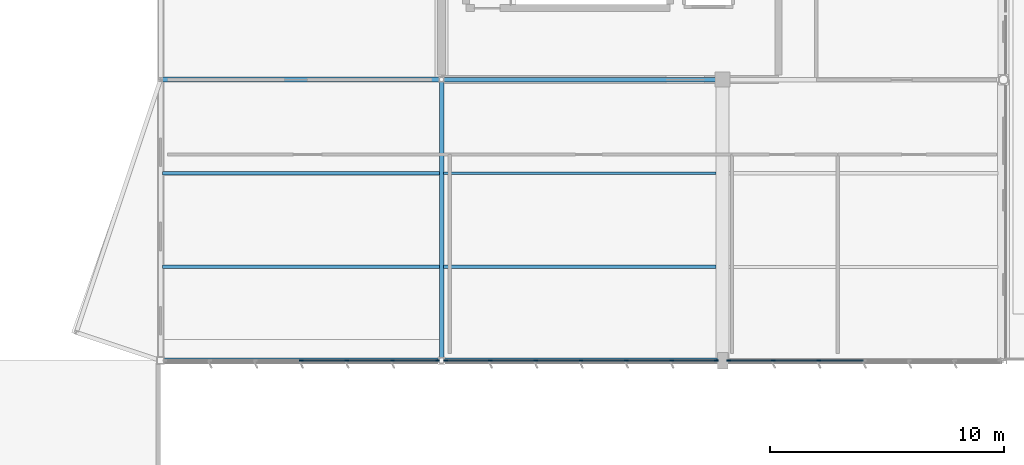
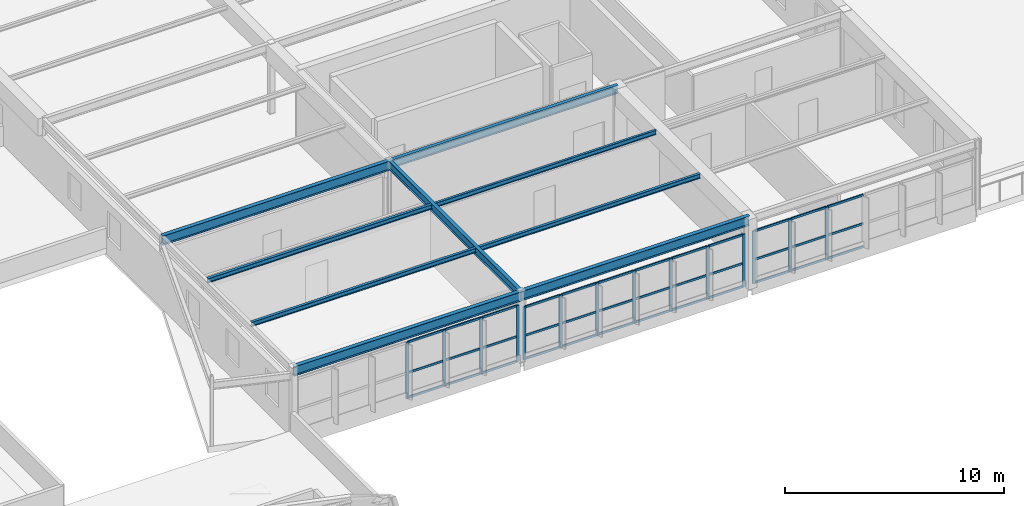
# One storey, part 62 of 128: 50 members, 9 beams, 3 elements without a shape of their own.
"""IFC4 building model written with IfcOpenShell, lengths in metres."""

import ifcopenshell
import ifcopenshell.guid

model = None  # the IFC model being written
_history = None  # IfcOwnerHistory: only IFC2X3 demands one
_inside = {}  # id of a spatial element -> (the spatial element, [elements in it])
_under = {}  # id of a project, library or spatial element -> (it, [spatial elements below it])
_declared = {}  # id of a project -> (the project, [libraries it declares])
_typed = {}  # id of a type object -> (the type object, [elements of that type])
_made_of = {}  # id of a material, layer set ... -> (it, [elements and type objects made of it])


def new_model(schema):
    """Start an empty IFC model of exactly this schema.

    Asked for "IFC4X3", IfcOpenShell would pick the latest addendum, in which some entities
    have other attributes; the version numbers below select the first issue.
    IFC2X3 requires an IfcOwnerHistory on every rooted entity: one is made here for all.
    """
    global model, _history
    if schema == "IFC4X3":
        model = ifcopenshell.file(schema_version=(4, 3, 0, 0))
    else:
        model = ifcopenshell.file(schema=schema)
    _inside.clear()
    _under.clear()
    _declared.clear()
    _typed.clear()
    _made_of.clear()
    _history = None
    if model.schema == "IFC2X3":
        org = make("IfcOrganization", Name="unknown")
        user = make(
            "IfcPersonAndOrganization",
            ThePerson=make("IfcPerson", FamilyName="unknown"),
            TheOrganization=org,
        )
        app = make(
            "IfcApplication",
            ApplicationDeveloper=org,
            Version="unknown",
            ApplicationFullName="unknown",
            ApplicationIdentifier="unknown",
        )
        _history = make(
            "IfcOwnerHistory",
            OwningUser=user,
            OwningApplication=app,
            ChangeAction="ADDED",
            CreationDate=0,
        )
    return model


def make(cls, **values):
    """One entity of the class cls with the attributes given. An attribute that is None is left unset."""
    return model.create_entity(
        cls, **{name: value for name, value in values.items() if value is not None}
    )


def rooted(cls, **values):
    """An entity with a GlobalId (a new one), such as an element, a storey or a relation."""
    return make(cls, GlobalId=ifcopenshell.guid.new(), OwnerHistory=_history, **values)


def si_unit(unit_type, name, prefix=None):
    """IfcSIUnit, for example si_unit("LENGTHUNIT", "METRE", prefix="MILLI")."""
    return make("IfcSIUnit", UnitType=unit_type, Prefix=prefix, Name=name)


def assignment(units):
    """IfcUnitAssignment: the units of a project."""
    return None if units is None else make("IfcUnitAssignment", Units=units)


def point(xyz):
    """IfcCartesianPoint."""
    return None if xyz is None else make("IfcCartesianPoint", Coordinates=xyz)


def direction(xyz):
    """IfcDirection."""
    return None if xyz is None else make("IfcDirection", DirectionRatios=xyz)


def frame(location, z_axis=None, x_axis=None):
    """IfcAxis2Placement3D, a coordinate frame: its origin and axes. An axis left out is left unset."""
    return make(
        "IfcAxis2Placement3D",
        Location=point(location),
        Axis=direction(z_axis),
        RefDirection=direction(x_axis),
    )


def frame_2d(location, x_axis=None):
    """IfcAxis2Placement2D, a coordinate frame in the plane: its origin and x axis."""
    return make(
        "IfcAxis2Placement2D", Location=point(location), RefDirection=direction(x_axis)
    )


def origin():
    """The frame at (0, 0, 0) with its axes left unset."""
    return frame((0.0, 0.0, 0.0))


def origin_2d():
    """The frame at (0, 0) in the plane with its x axis left unset."""
    return frame_2d((0.0, 0.0))


def place(relative_to, where):
    """IfcLocalPlacement: puts the frame where relative to a parent placement (None: the world)."""
    return make(
        "IfcLocalPlacement", PlacementRelTo=relative_to, RelativePlacement=where
    )


def context(
    kind, dimensions, precision=None, world=None, true_north=None, identifier=None
):
    """IfcGeometricRepresentationContext, for example the 3D "Model" context."""
    return make(
        "IfcGeometricRepresentationContext",
        ContextIdentifier=identifier,
        ContextType=kind,
        CoordinateSpaceDimension=dimensions,
        Precision=precision,
        WorldCoordinateSystem=world,
        TrueNorth=true_north,
    )


def subcontext(parent, identifier, kind, view, scale=None):
    """IfcGeometricRepresentationSubContext, for example "Body" below "Model"."""
    return make(
        "IfcGeometricRepresentationSubContext",
        ContextIdentifier=identifier,
        ContextType=kind,
        ParentContext=parent,
        TargetScale=scale,
        TargetView=view,
    )


def project(units=None, contexts=None):
    """IfcProject with its units and contexts."""
    return rooted(
        "IfcProject",
        Name="project",
        RepresentationContexts=contexts,
        UnitsInContext=assignment(units),
    )


def spatial(cls, under=None, at=None, **own):
    """A site, building, storey or space (cls), placed at a placement, below another one or the project."""
    s = rooted(cls, ObjectPlacement=at, **own)
    if under is not None:
        _under.setdefault(under.id(), (under, []))[1].append(s)
    return s


def profile(cls, at=None, kind="AREA", **sizes):
    """A parametric profile (cls). Its sizes go by their IFC names, for example OverallWidth=200.0."""
    return make(cls, ProfileType=kind, Position=at, **sizes)


def rectangle(**sizes):
    """IfcRectangleProfileDef."""
    return profile("IfcRectangleProfileDef", **sizes)


def i_section(**sizes):
    """IfcIShapeProfileDef."""
    return profile("IfcIShapeProfileDef", **sizes)


def extrude(swept, where, along, depth):
    """IfcExtrudedAreaSolid: the profile swept, set in the frame where, extruded along a direction by depth."""
    return make(
        "IfcExtrudedAreaSolid",
        SweptArea=swept,
        Position=where,
        ExtrudedDirection=direction(along),
        Depth=depth,
    )


def shape(context_of_items, identifier, shape_type, items):
    """IfcShapeRepresentation: the items that make up one representation, for example the "Body"."""
    return make(
        "IfcShapeRepresentation",
        ContextOfItems=context_of_items,
        RepresentationIdentifier=identifier,
        RepresentationType=shape_type,
        Items=items,
    )


def material(Name=None, Category=None):
    """IfcMaterial."""
    return make("IfcMaterial", Name=Name, Category=Category)


def layer(
    of_material, thickness, ventilated=None, Name=None, Category=None, Priority=None
):
    """IfcMaterialLayer: one layer of a wall or slab, of a material (None: an air gap)."""
    return make(
        "IfcMaterialLayer",
        Material=of_material,
        LayerThickness=thickness,
        IsVentilated=ventilated,
        Name=Name,
        Category=Category,
        Priority=Priority,
    )


def layer_set(layers, Name=None):
    """IfcMaterialLayerSet."""
    return make("IfcMaterialLayerSet", MaterialLayers=layers, LayerSetName=Name)


def material_profile(
    of_material, cross_section, Name=None, Category=None, Priority=None
):
    """IfcMaterialProfile: a cross section and its material."""
    return make(
        "IfcMaterialProfile",
        Name=Name,
        Material=of_material,
        Profile=cross_section,
        Priority=Priority,
        Category=Category,
    )


def profile_set(profiles, Name=None, composite=None):
    """IfcMaterialProfileSet."""
    return make(
        "IfcMaterialProfileSet",
        Name=Name,
        MaterialProfiles=profiles,
        CompositeProfile=composite,
    )


def made_of(thing, what):
    """Note that an element or type object is made of a material, layer set ...; save() writes the relation."""
    if what is not None:
        _made_of.setdefault(what.id(), (what, []))[1].append(thing)
    return thing


def type_object(cls, material=None, **own):
    """A type object (cls), such as IfcWallType, which elements share."""
    return made_of(rooted(cls, **own), material)


def element(
    cls,
    number,
    at=None,
    inside=None,
    cuts=None,
    type_object=None,
    material=None,
    context=None,
    identifier="Body",
    shape_type=None,
    held_by="IfcProductDefinitionShape",
    body=None,
    shapes=None,
    **own,
):
    """One element of the class cls, such as IfcWall. Its Tag is "e" and its number.

    at: its placement. inside: the storey or other place that contains it. cuts: it is an
    opening in that element (IfcRelVoidsElement). A single representation is given by context,
    identifier, shape_type and body (its items); several are given by shapes. held_by: the class
    of the entity that holds the representations. save() writes the other relations.
    """
    e = rooted(cls, Tag="e%d" % number, ObjectPlacement=at, **own)
    if body is not None:
        shapes = [shape(context, identifier, shape_type, body)]
    if shapes is not None:
        e.Representation = make(held_by, Representations=shapes)
    if inside is not None:
        _inside.setdefault(inside.id(), (inside, []))[1].append(e)
    if cuts is not None:
        rooted(
            "IfcRelVoidsElement", RelatingBuildingElement=cuts, RelatedOpeningElement=e
        )
    if type_object is not None:
        _typed.setdefault(type_object.id(), (type_object, []))[1].append(e)
    return made_of(e, material)


def aggregate(whole, parts):
    """IfcRelAggregates: a whole, such as a stair, and the parts it consists of."""
    return rooted("IfcRelAggregates", RelatingObject=whole, RelatedObjects=parts)


def save(model, path):
    """Write the relations noted so far, then the file.

    IfcRelAggregates (storeys below a building ...), IfcRelContainedInSpatialStructure (elements
    in a storey), IfcRelDefinesByType, IfcRelAssociatesMaterial and IfcRelDeclares: one each for
    every whole, place, type object, material and project.
    """
    for whole, parts in _under.values():
        aggregate(whole, parts)
    for where, things in _inside.values():
        rooted(
            "IfcRelContainedInSpatialStructure",
            RelatedElements=things,
            RelatingStructure=where,
        )
    for kind, things in _typed.values():
        rooted("IfcRelDefinesByType", RelatedObjects=things, RelatingType=kind)
    for what, things in _made_of.values():
        rooted("IfcRelAssociatesMaterial", RelatedObjects=things, RelatingMaterial=what)
    for by, libraries in _declared.values():
        rooted("IfcRelDeclares", RelatingContext=by, RelatedDefinitions=libraries)
    model.write(path)


model = new_model("IFC4")

# Units and contexts
model_context = context("Model", 3, precision=1e-05, world=origin(), true_north=direction((0.0, 1.0)))
body_context = subcontext(model_context, "Body", "Model", "MODEL_VIEW")
ifc_project = project(units=[si_unit("LENGTHUNIT", "METRE"), si_unit("AREAUNIT", "SQUARE_METRE"), si_unit("VOLUMEUNIT", "CUBIC_METRE"), si_unit("PLANEANGLEUNIT", "RADIAN"), si_unit("MASSUNIT", "GRAM", prefix="KILO")], contexts=[model_context])

# Site, building, storey
site_placement = place(None, origin())
site = spatial("IfcSite", under=ifc_project, at=site_placement, CompositionType="ELEMENT")
building_placement = place(site_placement, origin())
building = spatial("IfcBuilding", under=site, at=building_placement, Name="Tarnwether General Hospital", CompositionType="ELEMENT")
storey_placement = place(building_placement, frame((0.0, 0.0, 14.39990234375)))
storey = spatial("IfcBuildingStorey", under=building, at=storey_placement, Name="L03", CompositionType="ELEMENT", Elevation=14.39990234375)

# Beams
ifc_material_1 = material(Name="Steel Grade 350 (350 MPa)", Category="steel")
ifc_material_profile_1 = material_profile(ifc_material_1, i_section(OverallWidth=0.208984375, OverallDepth=0.532958984375, WebThickness=0.01025390625, FlangeThickness=0.015625, at=origin_2d()), Name="530UB92.4")
ifc_profile_set_1 = profile_set([ifc_material_profile_1], Name="Steel Grade 350 (350 MPa)")
beam_type_1 = type_object("IfcBeamType", Name="BM-G06", PredefinedType="BEAM", material=ifc_profile_set_1)
beam_1_placement = place(storey_placement, frame((144.0, 81.60009765625, 3.633544921875), z_axis=(1.0, 0.0, 0.0), x_axis=(0.0, 1.0, 0.0)))
element("IfcBeam", 1, at=beam_1_placement, inside=storey, type_object=beam_type_1, Name="Primary Girder BMG-L03-14400_8160-15600_8160-1763", PredefinedType="BEAM", context=body_context, shape_type="SweptSolid", body=[
    extrude(i_section(OverallWidth=0.208984375, OverallDepth=0.532958984375, WebThickness=0.01025390625, FlangeThickness=0.015625, at=origin_2d()), origin(), (0.0, 0.0, 1.0), 12.0),
])
ifc_material_2 = material(Name="Steel Grade 350 (350 MPa)", Category="steel")
ifc_material_profile_2 = material_profile(ifc_material_2, i_section(OverallWidth=0.208984375, OverallDepth=0.528076171875, WebThickness=0.009521484375, FlangeThickness=0.01318359375, at=origin_2d()), Name="530UB82.0")
ifc_profile_set_2 = profile_set([ifc_material_profile_2], Name="Steel Grade 350 (350 MPa)")
beam_type_2 = type_object("IfcBeamType", Name="BM-G07", PredefinedType="BEAM", material=ifc_profile_set_2)
for number, where, z_axis, x_axis, name in (
    (2, (144.0, 93.60009765625, 3.635986328125), (1.0, 0.0, 0.0), (0.0, 1.0, 0.0), "Primary Girder BMG-L03-14400_9360-15600_9360-1765"),
    (3, (156.0, 81.60009765625, 3.635986328125), (1.0, 0.0, 0.0), (0.0, 1.0, 0.0), "Primary Girder BMG-L03-15600_8160-16800_8160-1781"),
):
    element("IfcBeam", number, at=place(storey_placement, frame(where, z_axis=z_axis, x_axis=x_axis)), inside=storey, type_object=beam_type_2, Name=name, PredefinedType="BEAM", context=body_context, shape_type="SweptSolid", body=[
        extrude(i_section(OverallWidth=0.208984375, OverallDepth=0.528076171875, WebThickness=0.009521484375, FlangeThickness=0.01318359375, at=origin_2d()), origin(), (0.0, 0.0, 1.0), 12.0),
    ])
ifc_material_3 = material(Name="Steel Grade 350 (350 MPa)", Category="steel")
ifc_material_profile_3 = material_profile(ifc_material_3, i_section(OverallWidth=0.19091796875, OverallDepth=0.4599609375, WebThickness=0.010009765625, FlangeThickness=0.01611328125, at=origin_2d()), Name="460UB82.1")
ifc_profile_set_3 = profile_set([ifc_material_profile_3], Name="Steel Grade 350 (350 MPa)")
beam_type_3 = type_object("IfcBeamType", Name="BM-G08", PredefinedType="BEAM", material=ifc_profile_set_3)
beam_2_placement = place(storey_placement, frame((156.0, 93.60009765625, 3.670166015625), z_axis=(1.0, 0.0, 0.0), x_axis=(0.0, 1.0, 0.0)))
element("IfcBeam", 4, at=beam_2_placement, inside=storey, type_object=beam_type_3, Name="Primary Girder BMG-L03-15600_9360-16800_9360-1783", PredefinedType="BEAM", context=body_context, shape_type="SweptSolid", body=[
    extrude(i_section(OverallWidth=0.19091796875, OverallDepth=0.4599609375, WebThickness=0.010009765625, FlangeThickness=0.01611328125, at=origin_2d()), origin(), (0.0, 0.0, 1.0), 12.0),
])
ifc_material_4 = material(Name="Steel Grade 350 (350 MPa)", Category="steel")
ifc_material_profile_4 = material_profile(ifc_material_4, i_section(OverallWidth=0.18994140625, OverallDepth=0.4541015625, WebThickness=0.008544921875, FlangeThickness=0.0126953125, at=origin_2d()), Name="460UB67.1")
ifc_profile_set_4 = profile_set([ifc_material_profile_4], Name="Steel Grade 350 (350 MPa)")
beam_type_4 = type_object("IfcBeamType", Name="BM-G10", PredefinedType="BEAM", material=ifc_profile_set_4)
beam_3_placement = place(storey_placement, frame((156.0, 81.60009765625, 3.673095703125), z_axis=(0.0, 1.0, 0.0), x_axis=(-1.0, 0.0, 0.0)))
element("IfcBeam", 5, at=beam_3_placement, inside=storey, type_object=beam_type_4, Name="Primary Girder BMG-L03-15600_8160-15600_9360-1782", PredefinedType="BEAM", context=body_context, shape_type="SweptSolid", body=[
    extrude(i_section(OverallWidth=0.18994140625, OverallDepth=0.4541015625, WebThickness=0.008544921875, FlangeThickness=0.0126953125, at=origin_2d()), origin(), (0.0, 0.0, 1.0), 12.0),
])
ifc_material_5 = material(Name="Steel Grade 350 (350 MPa)", Category="steel")
ifc_material_profile_5 = material_profile(ifc_material_5, i_section(OverallWidth=0.14599609375, OverallDepth=0.256103515625, WebThickness=0.00634765625, FlangeThickness=0.010986328125, at=origin_2d()), Name="250UB37.3")
ifc_profile_set_5 = profile_set([ifc_material_profile_5], Name="Steel Grade 350 (350 MPa)")
beam_type_5 = type_object("IfcBeamType", Name="BM-J09", PredefinedType="JOIST", material=ifc_profile_set_5)
beam_4_placement = place(storey_placement, frame((144.089111328125, 85.60009765625, 3.772216796875), z_axis=(1.0, 0.0, 0.0), x_axis=(0.0, 1.0, 0.0)))
element("IfcBeam", 6, at=beam_4_placement, inside=storey, type_object=beam_type_5, Name="Composite Floor Joist BMG-L03-14409_8560-15591_8560-1822", PredefinedType="JOIST", context=body_context, shape_type="SweptSolid", body=[
    extrude(i_section(OverallWidth=0.14599609375, OverallDepth=0.256103515625, WebThickness=0.00634765625, FlangeThickness=0.010986328125, at=origin_2d()), origin(), (0.0, 0.0, 1.0), 11.82177734375),
])
ifc_material_6 = material(Name="Steel Grade 350 (350 MPa)", Category="steel")
ifc_material_profile_6 = material_profile(ifc_material_6, i_section(OverallWidth=0.14599609375, OverallDepth=0.251953125, WebThickness=0.006103515625, FlangeThickness=0.008544921875, at=origin_2d()), Name="250UB31.4")
ifc_profile_set_6 = profile_set([ifc_material_profile_6], Name="Steel Grade 350 (350 MPa)")
beam_type_6 = type_object("IfcBeamType", Name="BM-J10", PredefinedType="JOIST", material=ifc_profile_set_6)
beam_5_placement = place(storey_placement, frame((144.089111328125, 89.60009765625, 3.774169921875), z_axis=(1.0, 0.0, 0.0), x_axis=(0.0, 1.0, 0.0)))
element("IfcBeam", 7, at=beam_5_placement, inside=storey, type_object=beam_type_6, Name="Composite Floor Joist BMG-L03-14409_8960-15591_8960-1823", PredefinedType="JOIST", context=body_context, shape_type="SweptSolid", body=[
    extrude(i_section(OverallWidth=0.14599609375, OverallDepth=0.251953125, WebThickness=0.006103515625, FlangeThickness=0.008544921875, at=origin_2d()), origin(), (0.0, 0.0, 1.0), 11.82177734375),
])
beam_6_placement = place(storey_placement, frame((156.089111328125, 85.60009765625, 3.774169921875), z_axis=(1.0, 0.0, 0.0), x_axis=(0.0, 1.0, 0.0)))
element("IfcBeam", 8, at=beam_6_placement, inside=storey, type_object=beam_type_6, Name="Composite Floor Joist BMG-L03-15609_8560-16773_8560-1836", PredefinedType="JOIST", context=body_context, shape_type="SweptSolid", body=[
    extrude(i_section(OverallWidth=0.14599609375, OverallDepth=0.251953125, WebThickness=0.006103515625, FlangeThickness=0.008544921875, at=origin_2d()), origin(), (0.0, 0.0, 1.0), 11.641845703125),
])
ifc_material_7 = material(Name="Steel Grade 350 (350 MPa)", Category="steel")
ifc_material_profile_7 = material_profile(ifc_material_7, i_section(OverallWidth=0.1240234375, OverallDepth=0.248046875, WebThickness=0.0048828125, FlangeThickness=0.008056640625, at=origin_2d()), Name="250UB25.7")
ifc_profile_set_7 = profile_set([ifc_material_profile_7], Name="Steel Grade 350 (350 MPa)")
beam_type_7 = type_object("IfcBeamType", Name="BM-J11", PredefinedType="JOIST", material=ifc_profile_set_7)
beam_7_placement = place(storey_placement, frame((156.089111328125, 89.60009765625, 3.776123046875), z_axis=(1.0, 0.0, 0.0), x_axis=(0.0, 1.0, 0.0)))
element("IfcBeam", 9, at=beam_7_placement, inside=storey, type_object=beam_type_7, Name="Composite Floor Joist BMG-L03-15609_8960-16773_8960-1837", PredefinedType="JOIST", context=body_context, shape_type="SweptSolid", body=[
    extrude(i_section(OverallWidth=0.1240234375, OverallDepth=0.248046875, WebThickness=0.0048828125, FlangeThickness=0.008056640625, at=origin_2d()), origin(), (0.0, 0.0, 1.0), 11.641845703125),
])

# Curtain wall, members
ifc_material_8 = material(Name="Anodised aluminium", Category="aluminium")
ifc_layer = layer(ifc_material_8, 0.159912109375)
ifc_layer_set = layer_set([ifc_layer], Name="Anodised aluminium")
curtain_wall_type = type_object("IfcCurtainWallType", Name="CW-17", PredefinedType="NOTDEFINED", material=ifc_layer_set)
curtain_wall_1_placement = place(storey_placement, origin())
curtain_wall_1 = element("IfcCurtainWall", 10, at=curtain_wall_1_placement, inside=storey, type_object=curtain_wall_type, Name="Curtain Wall CWG-L03-1799_816-0485", PredefinedType="NOTDEFINED")
ifc_material_9 = material(Name="Anodised aluminium", Category="aluminium")
ifc_material_profile_8 = material_profile(ifc_material_9, rectangle(XDim=0.06005859375, YDim=0.159912109375, at=origin_2d()), Name="ALU-MUL-60x160")
ifc_profile_set_8 = profile_set([ifc_material_profile_8], Name="Anodised aluminium")
member_type_1 = type_object("IfcMemberType", Name="CW-ML1", PredefinedType="MULLION", material=ifc_profile_set_8)
member_1_placement = place(storey_placement, frame((172.109375, 81.60009765625, 0.0), z_axis=(0.0, 0.0, 1.0), x_axis=(0.0, -1.0, 0.0)))
member_1 = element("IfcMember", 11, at=member_1_placement, type_object=member_type_1, Name="CW-17 mullion 5", PredefinedType="MULLION", context=body_context, shape_type="SweptSolid", body=[
    extrude(rectangle(XDim=0.06005859375, YDim=0.159912109375, at=origin_2d()), origin(), (0.0, 0.0, 1.0), 2.93505859375),
])
member_2_placement = place(storey_placement, frame((170.171142578125, 81.60009765625, 0.0), z_axis=(0.0, 0.0, 1.0), x_axis=(0.0, -1.0, 0.0)))
member_2 = element("IfcMember", 12, at=member_2_placement, type_object=member_type_1, Name="CW-17 mullion 6", PredefinedType="MULLION", context=body_context, shape_type="SweptSolid", body=[
    extrude(rectangle(XDim=0.06005859375, YDim=0.159912109375, at=origin_2d()), origin(), (0.0, 0.0, 1.0), 2.93505859375),
])
member_3_placement = place(storey_placement, frame((168.262939453125, 81.60009765625, 0.0), z_axis=(0.0, 0.0, 1.0), x_axis=(0.0, -1.0, 0.0)))
member_3 = element("IfcMember", 13, at=member_3_placement, type_object=member_type_1, Name="CW-17 mullion 7", PredefinedType="MULLION", context=body_context, shape_type="SweptSolid", body=[
    extrude(rectangle(XDim=0.06005859375, YDim=0.159912109375, at=origin_2d()), origin(), (0.0, 0.0, 1.0), 2.93505859375),
])

curtain_wall_2_placement = place(storey_placement, origin())
curtain_wall_2 = element("IfcCurtainWall", 14, at=curtain_wall_2_placement, inside=storey, type_object=curtain_wall_type, Name="Curtain Wall CWG-L03-1678_816-0486", PredefinedType="NOTDEFINED")
member_4_placement = place(storey_placement, frame((167.737060546875, 81.60009765625, 0.0), z_axis=(0.0, 0.0, 1.0), x_axis=(0.0, -1.0, 0.0)))
member_4 = element("IfcMember", 15, at=member_4_placement, type_object=member_type_1, Name="CW-17 mullion 1", PredefinedType="MULLION", context=body_context, shape_type="SweptSolid", body=[
    extrude(rectangle(XDim=0.06005859375, YDim=0.159912109375, at=origin_2d()), origin(), (0.0, 0.0, 1.0), 2.93505859375),
])
member_5_placement = place(storey_placement, frame((165.830078125, 81.60009765625, 0.0), z_axis=(0.0, 0.0, 1.0), x_axis=(0.0, -1.0, 0.0)))
member_5 = element("IfcMember", 16, at=member_5_placement, type_object=member_type_1, Name="CW-17 mullion 2", PredefinedType="MULLION", context=body_context, shape_type="SweptSolid", body=[
    extrude(rectangle(XDim=0.06005859375, YDim=0.159912109375, at=origin_2d()), origin(), (0.0, 0.0, 1.0), 2.93505859375),
])
member_6_placement = place(storey_placement, frame((163.89306640625, 81.60009765625, 0.0), z_axis=(0.0, 0.0, 1.0), x_axis=(0.0, -1.0, 0.0)))
member_6 = element("IfcMember", 17, at=member_6_placement, type_object=member_type_1, Name="CW-17 mullion 3", PredefinedType="MULLION", context=body_context, shape_type="SweptSolid", body=[
    extrude(rectangle(XDim=0.06005859375, YDim=0.159912109375, at=origin_2d()), origin(), (0.0, 0.0, 1.0), 2.93505859375),
])
member_7_placement = place(storey_placement, frame((161.9560546875, 81.60009765625, 0.0), z_axis=(0.0, 0.0, 1.0), x_axis=(0.0, -1.0, 0.0)))
member_7 = element("IfcMember", 18, at=member_7_placement, type_object=member_type_1, Name="CW-17 mullion 4", PredefinedType="MULLION", context=body_context, shape_type="SweptSolid", body=[
    extrude(rectangle(XDim=0.06005859375, YDim=0.159912109375, at=origin_2d()), origin(), (0.0, 0.0, 1.0), 2.93505859375),
])
member_8_placement = place(storey_placement, frame((160.01904296875, 81.60009765625, 0.0), z_axis=(0.0, 0.0, 1.0), x_axis=(0.0, -1.0, 0.0)))
member_8 = element("IfcMember", 19, at=member_8_placement, type_object=member_type_1, Name="CW-17 mullion 5", PredefinedType="MULLION", context=body_context, shape_type="SweptSolid", body=[
    extrude(rectangle(XDim=0.06005859375, YDim=0.159912109375, at=origin_2d()), origin(), (0.0, 0.0, 1.0), 2.93505859375),
])
member_9_placement = place(storey_placement, frame((158.08203125, 81.60009765625, 0.0), z_axis=(0.0, 0.0, 1.0), x_axis=(0.0, -1.0, 0.0)))
member_9 = element("IfcMember", 20, at=member_9_placement, type_object=member_type_1, Name="CW-17 mullion 6", PredefinedType="MULLION", context=body_context, shape_type="SweptSolid", body=[
    extrude(rectangle(XDim=0.06005859375, YDim=0.159912109375, at=origin_2d()), origin(), (0.0, 0.0, 1.0), 2.93505859375),
])
member_10_placement = place(storey_placement, frame((156.175048828125, 81.60009765625, 0.0), z_axis=(0.0, 0.0, 1.0), x_axis=(0.0, -1.0, 0.0)))
member_10 = element("IfcMember", 21, at=member_10_placement, type_object=member_type_1, Name="CW-17 mullion 7", PredefinedType="MULLION", context=body_context, shape_type="SweptSolid", body=[
    extrude(rectangle(XDim=0.06005859375, YDim=0.159912109375, at=origin_2d()), origin(), (0.0, 0.0, 1.0), 2.93505859375),
])

curtain_wall_3_placement = place(storey_placement, origin())
curtain_wall_3 = element("IfcCurtainWall", 22, at=curtain_wall_3_placement, inside=storey, type_object=curtain_wall_type, Name="Curtain Wall CWG-L03-1559_816-0487", PredefinedType="NOTDEFINED")
member_11_placement = place(storey_placement, frame((155.824951171875, 81.60009765625, 0.0), z_axis=(0.0, 0.0, 1.0), x_axis=(0.0, -1.0, 0.0)))
member_11 = element("IfcMember", 23, at=member_11_placement, type_object=member_type_1, Name="CW-17 mullion 1", PredefinedType="MULLION", context=body_context, shape_type="SweptSolid", body=[
    extrude(rectangle(XDim=0.06005859375, YDim=0.159912109375, at=origin_2d()), origin(), (0.0, 0.0, 1.0), 3.14208984375),
])
member_12_placement = place(storey_placement, frame((153.905517578125, 81.60009765625, 0.0), z_axis=(0.0, 0.0, 1.0), x_axis=(0.0, -1.0, 0.0)))
member_12 = element("IfcMember", 24, at=member_12_placement, type_object=member_type_1, Name="CW-17 mullion 2", PredefinedType="MULLION", context=body_context, shape_type="SweptSolid", body=[
    extrude(rectangle(XDim=0.06005859375, YDim=0.159912109375, at=origin_2d()), origin(), (0.0, 0.0, 1.0), 3.14208984375),
])
member_13_placement = place(storey_placement, frame((151.9560546875, 81.60009765625, 0.0), z_axis=(0.0, 0.0, 1.0), x_axis=(0.0, -1.0, 0.0)))
member_13 = element("IfcMember", 25, at=member_13_placement, type_object=member_type_1, Name="CW-17 mullion 3", PredefinedType="MULLION", context=body_context, shape_type="SweptSolid", body=[
    extrude(rectangle(XDim=0.06005859375, YDim=0.159912109375, at=origin_2d()), origin(), (0.0, 0.0, 1.0), 3.14208984375),
])
member_14_placement = place(storey_placement, frame((150.006591796875, 81.60009765625, 0.0), z_axis=(0.0, 0.0, 1.0), x_axis=(0.0, -1.0, 0.0)))
member_14 = element("IfcMember", 26, at=member_14_placement, type_object=member_type_1, Name="CW-17 mullion 4", PredefinedType="MULLION", context=body_context, shape_type="SweptSolid", body=[
    extrude(rectangle(XDim=0.06005859375, YDim=0.159912109375, at=origin_2d()), origin(), (0.0, 0.0, 1.0), 3.14208984375),
])

# Member
ifc_material_10 = material(Name="Anodised aluminium", Category="aluminium")
ifc_material_profile_9 = material_profile(ifc_material_10, rectangle(XDim=0.06005859375, YDim=0.1201171875, at=origin_2d()), Name="ALU-TRN-60x120")
ifc_profile_set_9 = profile_set([ifc_material_profile_9], Name="Anodised aluminium")
member_type_2 = type_object("IfcMemberType", Name="CW-TR1", PredefinedType="USERDEFINED", material=ifc_profile_set_9)
member_15_placement = place(storey_placement, frame((174.017578125, 81.60009765625, 0.030029296875), z_axis=(-1.0, 0.0, 0.0), x_axis=(0.0, -1.0, 0.0)))
member_15 = element("IfcMember", 27, at=member_15_placement, type_object=member_type_2, Name="CW-17 transom 4.1", ObjectType="TRANSOM", PredefinedType="USERDEFINED", context=body_context, shape_type="SweptSolid", body=[
    extrude(rectangle(XDim=0.06005859375, YDim=0.1201171875, at=origin_2d()), origin(), (0.0, 0.0, 1.0), 1.878173828125),
])

member_16_placement = place(storey_placement, frame((174.017578125, 81.60009765625, 1.32080078125), z_axis=(-1.0, 0.0, 0.0), x_axis=(0.0, -1.0, 0.0)))
member_16 = element("IfcMember", 28, at=member_16_placement, type_object=member_type_2, Name="CW-17 transom 4.2", ObjectType="TRANSOM", PredefinedType="USERDEFINED", context=body_context, shape_type="SweptSolid", body=[
    extrude(rectangle(XDim=0.06005859375, YDim=0.1201171875, at=origin_2d()), origin(), (0.0, 0.0, 1.0), 1.878173828125),
])

member_17_placement = place(storey_placement, frame((174.017578125, 81.60009765625, 2.905029296875), z_axis=(-1.0, 0.0, 0.0), x_axis=(0.0, -1.0, 0.0)))
member_17 = element("IfcMember", 29, at=member_17_placement, type_object=member_type_2, Name="CW-17 transom 4.3", ObjectType="TRANSOM", PredefinedType="USERDEFINED", context=body_context, shape_type="SweptSolid", body=[
    extrude(rectangle(XDim=0.06005859375, YDim=0.1201171875, at=origin_2d()), origin(), (0.0, 0.0, 1.0), 1.878173828125),
])

member_18_placement = place(storey_placement, frame((172.079345703125, 81.60009765625, 0.030029296875), z_axis=(-1.0, 0.0, 0.0), x_axis=(0.0, -1.0, 0.0)))
member_18 = element("IfcMember", 30, at=member_18_placement, type_object=member_type_2, Name="CW-17 transom 5.1", ObjectType="TRANSOM", PredefinedType="USERDEFINED", context=body_context, shape_type="SweptSolid", body=[
    extrude(rectangle(XDim=0.06005859375, YDim=0.1201171875, at=origin_2d()), origin(), (0.0, 0.0, 1.0), 1.878173828125),
])

member_19_placement = place(storey_placement, frame((172.079345703125, 81.60009765625, 1.32080078125), z_axis=(-1.0, 0.0, 0.0), x_axis=(0.0, -1.0, 0.0)))
member_19 = element("IfcMember", 31, at=member_19_placement, type_object=member_type_2, Name="CW-17 transom 5.2", ObjectType="TRANSOM", PredefinedType="USERDEFINED", context=body_context, shape_type="SweptSolid", body=[
    extrude(rectangle(XDim=0.06005859375, YDim=0.1201171875, at=origin_2d()), origin(), (0.0, 0.0, 1.0), 1.878173828125),
])

member_20_placement = place(storey_placement, frame((172.079345703125, 81.60009765625, 2.905029296875), z_axis=(-1.0, 0.0, 0.0), x_axis=(0.0, -1.0, 0.0)))
member_20 = element("IfcMember", 32, at=member_20_placement, type_object=member_type_2, Name="CW-17 transom 5.3", ObjectType="TRANSOM", PredefinedType="USERDEFINED", context=body_context, shape_type="SweptSolid", body=[
    extrude(rectangle(XDim=0.06005859375, YDim=0.1201171875, at=origin_2d()), origin(), (0.0, 0.0, 1.0), 1.878173828125),
])

member_21_placement = place(storey_placement, frame((170.14111328125, 81.60009765625, 0.030029296875), z_axis=(-1.0, 0.0, 0.0), x_axis=(0.0, -1.0, 0.0)))
member_21 = element("IfcMember", 33, at=member_21_placement, type_object=member_type_2, Name="CW-17 transom 6.1", ObjectType="TRANSOM", PredefinedType="USERDEFINED", context=body_context, shape_type="SweptSolid", body=[
    extrude(rectangle(XDim=0.06005859375, YDim=0.1201171875, at=origin_2d()), origin(), (0.0, 0.0, 1.0), 1.84814453125),
])

member_22_placement = place(storey_placement, frame((170.14111328125, 81.60009765625, 1.32080078125), z_axis=(-1.0, 0.0, 0.0), x_axis=(0.0, -1.0, 0.0)))
member_22 = element("IfcMember", 34, at=member_22_placement, type_object=member_type_2, Name="CW-17 transom 6.2", ObjectType="TRANSOM", PredefinedType="USERDEFINED", context=body_context, shape_type="SweptSolid", body=[
    extrude(rectangle(XDim=0.06005859375, YDim=0.1201171875, at=origin_2d()), origin(), (0.0, 0.0, 1.0), 1.84814453125),
])

member_23_placement = place(storey_placement, frame((170.14111328125, 81.60009765625, 2.905029296875), z_axis=(-1.0, 0.0, 0.0), x_axis=(0.0, -1.0, 0.0)))
member_23 = element("IfcMember", 35, at=member_23_placement, type_object=member_type_2, Name="CW-17 transom 6.3", ObjectType="TRANSOM", PredefinedType="USERDEFINED", context=body_context, shape_type="SweptSolid", body=[
    extrude(rectangle(XDim=0.06005859375, YDim=0.1201171875, at=origin_2d()), origin(), (0.0, 0.0, 1.0), 1.84814453125),
])

aggregate(curtain_wall_1, [member_1, member_2, member_3, member_15, member_16, member_17, member_18, member_19, member_20, member_21, member_22, member_23])

member_24_placement = place(storey_placement, frame((167.70703125, 81.60009765625, 0.030029296875), z_axis=(-1.0, 0.0, 0.0), x_axis=(0.0, -1.0, 0.0)))
member_24 = element("IfcMember", 36, at=member_24_placement, type_object=member_type_2, Name="CW-17 transom 1.1", ObjectType="TRANSOM", PredefinedType="USERDEFINED", context=body_context, shape_type="SweptSolid", body=[
    extrude(rectangle(XDim=0.06005859375, YDim=0.1201171875, at=origin_2d()), origin(), (0.0, 0.0, 1.0), 1.846923828125),
])

member_25_placement = place(storey_placement, frame((167.70703125, 81.60009765625, 1.32080078125), z_axis=(-1.0, 0.0, 0.0), x_axis=(0.0, -1.0, 0.0)))
member_25 = element("IfcMember", 37, at=member_25_placement, type_object=member_type_2, Name="CW-17 transom 1.2", ObjectType="TRANSOM", PredefinedType="USERDEFINED", context=body_context, shape_type="SweptSolid", body=[
    extrude(rectangle(XDim=0.06005859375, YDim=0.1201171875, at=origin_2d()), origin(), (0.0, 0.0, 1.0), 1.846923828125),
])

member_26_placement = place(storey_placement, frame((167.70703125, 81.60009765625, 2.905029296875), z_axis=(-1.0, 0.0, 0.0), x_axis=(0.0, -1.0, 0.0)))
member_26 = element("IfcMember", 38, at=member_26_placement, type_object=member_type_2, Name="CW-17 transom 1.3", ObjectType="TRANSOM", PredefinedType="USERDEFINED", context=body_context, shape_type="SweptSolid", body=[
    extrude(rectangle(XDim=0.06005859375, YDim=0.1201171875, at=origin_2d()), origin(), (0.0, 0.0, 1.0), 1.846923828125),
])

member_27_placement = place(storey_placement, frame((165.800048828125, 81.60009765625, 0.030029296875), z_axis=(-1.0, 0.0, 0.0), x_axis=(0.0, -1.0, 0.0)))
member_27 = element("IfcMember", 39, at=member_27_placement, type_object=member_type_2, Name="CW-17 transom 2.1", ObjectType="TRANSOM", PredefinedType="USERDEFINED", context=body_context, shape_type="SweptSolid", body=[
    extrude(rectangle(XDim=0.06005859375, YDim=0.1201171875, at=origin_2d()), origin(), (0.0, 0.0, 1.0), 1.876953125),
])

member_28_placement = place(storey_placement, frame((165.800048828125, 81.60009765625, 1.32080078125), z_axis=(-1.0, 0.0, 0.0), x_axis=(0.0, -1.0, 0.0)))
member_28 = element("IfcMember", 40, at=member_28_placement, type_object=member_type_2, Name="CW-17 transom 2.2", ObjectType="TRANSOM", PredefinedType="USERDEFINED", context=body_context, shape_type="SweptSolid", body=[
    extrude(rectangle(XDim=0.06005859375, YDim=0.1201171875, at=origin_2d()), origin(), (0.0, 0.0, 1.0), 1.876953125),
])

member_29_placement = place(storey_placement, frame((165.800048828125, 81.60009765625, 2.905029296875), z_axis=(-1.0, 0.0, 0.0), x_axis=(0.0, -1.0, 0.0)))
member_29 = element("IfcMember", 41, at=member_29_placement, type_object=member_type_2, Name="CW-17 transom 2.3", ObjectType="TRANSOM", PredefinedType="USERDEFINED", context=body_context, shape_type="SweptSolid", body=[
    extrude(rectangle(XDim=0.06005859375, YDim=0.1201171875, at=origin_2d()), origin(), (0.0, 0.0, 1.0), 1.876953125),
])

member_30_placement = place(storey_placement, frame((163.863037109375, 81.60009765625, 0.030029296875), z_axis=(-1.0, 0.0, 0.0), x_axis=(0.0, -1.0, 0.0)))
member_30 = element("IfcMember", 42, at=member_30_placement, type_object=member_type_2, Name="CW-17 transom 3.1", ObjectType="TRANSOM", PredefinedType="USERDEFINED", context=body_context, shape_type="SweptSolid", body=[
    extrude(rectangle(XDim=0.06005859375, YDim=0.1201171875, at=origin_2d()), origin(), (0.0, 0.0, 1.0), 1.876953125),
])

member_31_placement = place(storey_placement, frame((163.863037109375, 81.60009765625, 1.32080078125), z_axis=(-1.0, 0.0, 0.0), x_axis=(0.0, -1.0, 0.0)))
member_31 = element("IfcMember", 43, at=member_31_placement, type_object=member_type_2, Name="CW-17 transom 3.2", ObjectType="TRANSOM", PredefinedType="USERDEFINED", context=body_context, shape_type="SweptSolid", body=[
    extrude(rectangle(XDim=0.06005859375, YDim=0.1201171875, at=origin_2d()), origin(), (0.0, 0.0, 1.0), 1.876953125),
])

member_32_placement = place(storey_placement, frame((163.863037109375, 81.60009765625, 2.905029296875), z_axis=(-1.0, 0.0, 0.0), x_axis=(0.0, -1.0, 0.0)))
member_32 = element("IfcMember", 44, at=member_32_placement, type_object=member_type_2, Name="CW-17 transom 3.3", ObjectType="TRANSOM", PredefinedType="USERDEFINED", context=body_context, shape_type="SweptSolid", body=[
    extrude(rectangle(XDim=0.06005859375, YDim=0.1201171875, at=origin_2d()), origin(), (0.0, 0.0, 1.0), 1.876953125),
])

member_33_placement = place(storey_placement, frame((161.926025390625, 81.60009765625, 0.030029296875), z_axis=(-1.0, 0.0, 0.0), x_axis=(0.0, -1.0, 0.0)))
member_33 = element("IfcMember", 45, at=member_33_placement, type_object=member_type_2, Name="CW-17 transom 4.1", ObjectType="TRANSOM", PredefinedType="USERDEFINED", context=body_context, shape_type="SweptSolid", body=[
    extrude(rectangle(XDim=0.06005859375, YDim=0.1201171875, at=origin_2d()), origin(), (0.0, 0.0, 1.0), 1.876953125),
])

member_34_placement = place(storey_placement, frame((161.926025390625, 81.60009765625, 1.32080078125), z_axis=(-1.0, 0.0, 0.0), x_axis=(0.0, -1.0, 0.0)))
member_34 = element("IfcMember", 46, at=member_34_placement, type_object=member_type_2, Name="CW-17 transom 4.2", ObjectType="TRANSOM", PredefinedType="USERDEFINED", context=body_context, shape_type="SweptSolid", body=[
    extrude(rectangle(XDim=0.06005859375, YDim=0.1201171875, at=origin_2d()), origin(), (0.0, 0.0, 1.0), 1.876953125),
])

member_35_placement = place(storey_placement, frame((161.926025390625, 81.60009765625, 2.905029296875), z_axis=(-1.0, 0.0, 0.0), x_axis=(0.0, -1.0, 0.0)))
member_35 = element("IfcMember", 47, at=member_35_placement, type_object=member_type_2, Name="CW-17 transom 4.3", ObjectType="TRANSOM", PredefinedType="USERDEFINED", context=body_context, shape_type="SweptSolid", body=[
    extrude(rectangle(XDim=0.06005859375, YDim=0.1201171875, at=origin_2d()), origin(), (0.0, 0.0, 1.0), 1.876953125),
])

member_36_placement = place(storey_placement, frame((159.989013671875, 81.60009765625, 0.030029296875), z_axis=(-1.0, 0.0, 0.0), x_axis=(0.0, -1.0, 0.0)))
member_36 = element("IfcMember", 48, at=member_36_placement, type_object=member_type_2, Name="CW-17 transom 5.1", ObjectType="TRANSOM", PredefinedType="USERDEFINED", context=body_context, shape_type="SweptSolid", body=[
    extrude(rectangle(XDim=0.06005859375, YDim=0.1201171875, at=origin_2d()), origin(), (0.0, 0.0, 1.0), 1.876953125),
])

member_37_placement = place(storey_placement, frame((159.989013671875, 81.60009765625, 1.32080078125), z_axis=(-1.0, 0.0, 0.0), x_axis=(0.0, -1.0, 0.0)))
member_37 = element("IfcMember", 49, at=member_37_placement, type_object=member_type_2, Name="CW-17 transom 5.2", ObjectType="TRANSOM", PredefinedType="USERDEFINED", context=body_context, shape_type="SweptSolid", body=[
    extrude(rectangle(XDim=0.06005859375, YDim=0.1201171875, at=origin_2d()), origin(), (0.0, 0.0, 1.0), 1.876953125),
])

member_38_placement = place(storey_placement, frame((159.989013671875, 81.60009765625, 2.905029296875), z_axis=(-1.0, 0.0, 0.0), x_axis=(0.0, -1.0, 0.0)))
member_38 = element("IfcMember", 50, at=member_38_placement, type_object=member_type_2, Name="CW-17 transom 5.3", ObjectType="TRANSOM", PredefinedType="USERDEFINED", context=body_context, shape_type="SweptSolid", body=[
    extrude(rectangle(XDim=0.06005859375, YDim=0.1201171875, at=origin_2d()), origin(), (0.0, 0.0, 1.0), 1.876953125),
])

member_39_placement = place(storey_placement, frame((158.052001953125, 81.60009765625, 0.030029296875), z_axis=(-1.0, 0.0, 0.0), x_axis=(0.0, -1.0, 0.0)))
member_39 = element("IfcMember", 51, at=member_39_placement, type_object=member_type_2, Name="CW-17 transom 6.1", ObjectType="TRANSOM", PredefinedType="USERDEFINED", context=body_context, shape_type="SweptSolid", body=[
    extrude(rectangle(XDim=0.06005859375, YDim=0.1201171875, at=origin_2d()), origin(), (0.0, 0.0, 1.0), 1.846923828125),
])

member_40_placement = place(storey_placement, frame((158.052001953125, 81.60009765625, 1.32080078125), z_axis=(-1.0, 0.0, 0.0), x_axis=(0.0, -1.0, 0.0)))
member_40 = element("IfcMember", 52, at=member_40_placement, type_object=member_type_2, Name="CW-17 transom 6.2", ObjectType="TRANSOM", PredefinedType="USERDEFINED", context=body_context, shape_type="SweptSolid", body=[
    extrude(rectangle(XDim=0.06005859375, YDim=0.1201171875, at=origin_2d()), origin(), (0.0, 0.0, 1.0), 1.846923828125),
])

member_41_placement = place(storey_placement, frame((158.052001953125, 81.60009765625, 2.905029296875), z_axis=(-1.0, 0.0, 0.0), x_axis=(0.0, -1.0, 0.0)))
member_41 = element("IfcMember", 53, at=member_41_placement, type_object=member_type_2, Name="CW-17 transom 6.3", ObjectType="TRANSOM", PredefinedType="USERDEFINED", context=body_context, shape_type="SweptSolid", body=[
    extrude(rectangle(XDim=0.06005859375, YDim=0.1201171875, at=origin_2d()), origin(), (0.0, 0.0, 1.0), 1.846923828125),
])

aggregate(curtain_wall_2, [member_4, member_5, member_6, member_7, member_8, member_9, member_10, member_24, member_25, member_26, member_27, member_28, member_29, member_30, member_31, member_32, member_33, member_34, member_35, member_36, member_37, member_38, member_39, member_40, member_41])

member_42_placement = place(storey_placement, frame((155.794921875, 81.60009765625, 0.030029296875), z_axis=(-1.0, 0.0, 0.0), x_axis=(0.0, -1.0, 0.0)))
member_42 = element("IfcMember", 54, at=member_42_placement, type_object=member_type_2, Name="CW-17 transom 1.1", ObjectType="TRANSOM", PredefinedType="USERDEFINED", context=body_context, shape_type="SweptSolid", body=[
    extrude(rectangle(XDim=0.06005859375, YDim=0.1201171875, at=origin_2d()), origin(), (0.0, 0.0, 1.0), 1.859375),
])

member_43_placement = place(storey_placement, frame((155.794921875, 81.60009765625, 1.4140625), z_axis=(-1.0, 0.0, 0.0), x_axis=(0.0, -1.0, 0.0)))
member_43 = element("IfcMember", 55, at=member_43_placement, type_object=member_type_2, Name="CW-17 transom 1.2", ObjectType="TRANSOM", PredefinedType="USERDEFINED", context=body_context, shape_type="SweptSolid", body=[
    extrude(rectangle(XDim=0.06005859375, YDim=0.1201171875, at=origin_2d()), origin(), (0.0, 0.0, 1.0), 1.859375),
])

member_44_placement = place(storey_placement, frame((155.794921875, 81.60009765625, 3.112060546875), z_axis=(-1.0, 0.0, 0.0), x_axis=(0.0, -1.0, 0.0)))
member_44 = element("IfcMember", 56, at=member_44_placement, type_object=member_type_2, Name="CW-17 transom 1.3", ObjectType="TRANSOM", PredefinedType="USERDEFINED", context=body_context, shape_type="SweptSolid", body=[
    extrude(rectangle(XDim=0.06005859375, YDim=0.1201171875, at=origin_2d()), origin(), (0.0, 0.0, 1.0), 1.859375),
])

member_45_placement = place(storey_placement, frame((153.87548828125, 81.60009765625, 0.030029296875), z_axis=(-1.0, 0.0, 0.0), x_axis=(0.0, -1.0, 0.0)))
member_45 = element("IfcMember", 57, at=member_45_placement, type_object=member_type_2, Name="CW-17 transom 2.1", ObjectType="TRANSOM", PredefinedType="USERDEFINED", context=body_context, shape_type="SweptSolid", body=[
    extrude(rectangle(XDim=0.06005859375, YDim=0.1201171875, at=origin_2d()), origin(), (0.0, 0.0, 1.0), 1.889404296875),
])

member_46_placement = place(storey_placement, frame((153.87548828125, 81.60009765625, 1.4140625), z_axis=(-1.0, 0.0, 0.0), x_axis=(0.0, -1.0, 0.0)))
member_46 = element("IfcMember", 58, at=member_46_placement, type_object=member_type_2, Name="CW-17 transom 2.2", ObjectType="TRANSOM", PredefinedType="USERDEFINED", context=body_context, shape_type="SweptSolid", body=[
    extrude(rectangle(XDim=0.06005859375, YDim=0.1201171875, at=origin_2d()), origin(), (0.0, 0.0, 1.0), 1.889404296875),
])

member_47_placement = place(storey_placement, frame((153.87548828125, 81.60009765625, 3.112060546875), z_axis=(-1.0, 0.0, 0.0), x_axis=(0.0, -1.0, 0.0)))
member_47 = element("IfcMember", 59, at=member_47_placement, type_object=member_type_2, Name="CW-17 transom 2.3", ObjectType="TRANSOM", PredefinedType="USERDEFINED", context=body_context, shape_type="SweptSolid", body=[
    extrude(rectangle(XDim=0.06005859375, YDim=0.1201171875, at=origin_2d()), origin(), (0.0, 0.0, 1.0), 1.889404296875),
])

member_48_placement = place(storey_placement, frame((151.926025390625, 81.60009765625, 0.030029296875), z_axis=(-1.0, 0.0, 0.0), x_axis=(0.0, -1.0, 0.0)))
member_48 = element("IfcMember", 60, at=member_48_placement, type_object=member_type_2, Name="CW-17 transom 3.1", ObjectType="TRANSOM", PredefinedType="USERDEFINED", context=body_context, shape_type="SweptSolid", body=[
    extrude(rectangle(XDim=0.06005859375, YDim=0.1201171875, at=origin_2d()), origin(), (0.0, 0.0, 1.0), 1.889404296875),
])

member_49_placement = place(storey_placement, frame((151.926025390625, 81.60009765625, 1.4140625), z_axis=(-1.0, 0.0, 0.0), x_axis=(0.0, -1.0, 0.0)))
member_49 = element("IfcMember", 61, at=member_49_placement, type_object=member_type_2, Name="CW-17 transom 3.2", ObjectType="TRANSOM", PredefinedType="USERDEFINED", context=body_context, shape_type="SweptSolid", body=[
    extrude(rectangle(XDim=0.06005859375, YDim=0.1201171875, at=origin_2d()), origin(), (0.0, 0.0, 1.0), 1.889404296875),
])

member_50_placement = place(storey_placement, frame((151.926025390625, 81.60009765625, 3.112060546875), z_axis=(-1.0, 0.0, 0.0), x_axis=(0.0, -1.0, 0.0)))
member_50 = element("IfcMember", 62, at=member_50_placement, type_object=member_type_2, Name="CW-17 transom 3.3", ObjectType="TRANSOM", PredefinedType="USERDEFINED", context=body_context, shape_type="SweptSolid", body=[
    extrude(rectangle(XDim=0.06005859375, YDim=0.1201171875, at=origin_2d()), origin(), (0.0, 0.0, 1.0), 1.889404296875),
])

aggregate(curtain_wall_3, [member_11, member_12, member_13, member_14, member_42, member_43, member_44, member_45, member_46, member_47, member_48, member_49, member_50])

save(model, "model.ifc")
